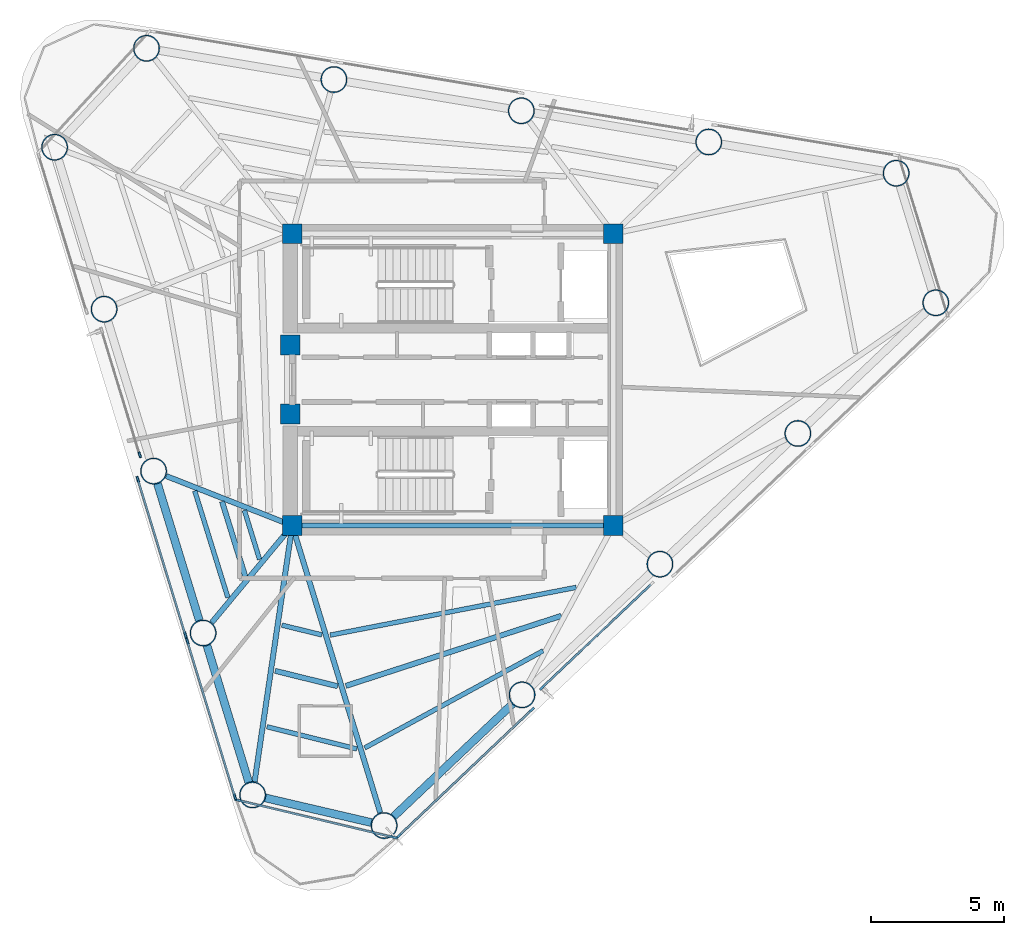
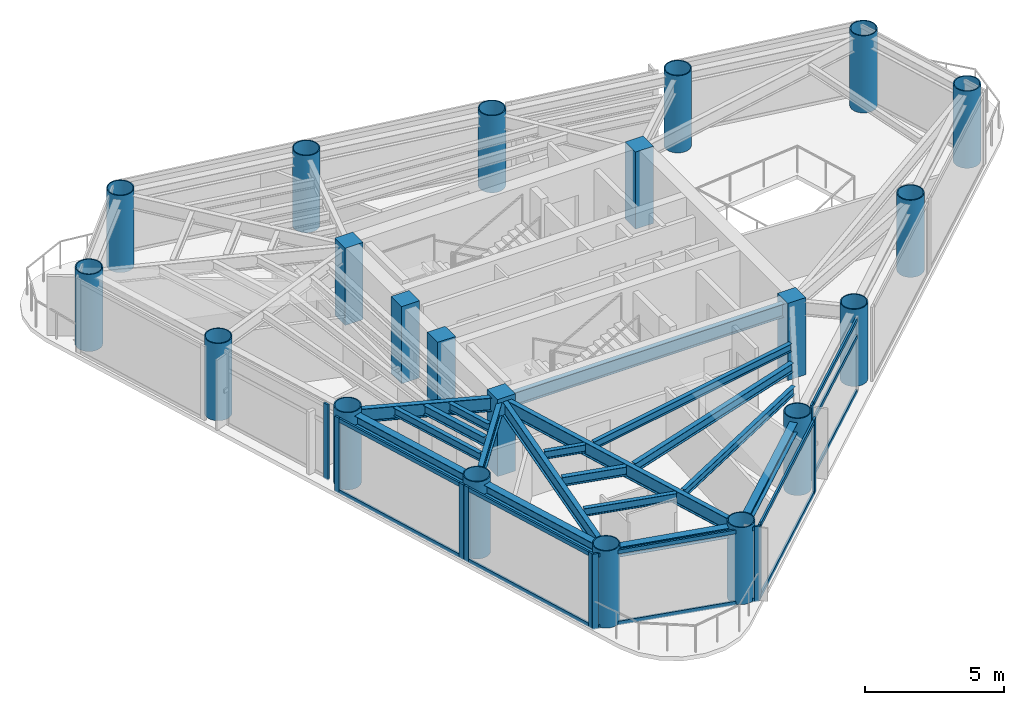
# One storey, part 1 of 9: 21 columns, 21 members, 18 beams, 6 elements without a shape of their own.
"""IFC4 building model written with IfcOpenShell, lengths in metres."""

from ifc_helpers import new_model, si_unit, direction, frame, origin, origin_2d, place, context, subcontext, project, spatial, rectangle, hollow_circle, i_section, extrude, source, transform, mapped, material, layer, layer_set, material_profile, profile_set, type_object, element, aggregate, save


model = new_model("IFC4")

# Units and contexts
model_context = context("Model", 3, precision=1e-05, world=origin(), true_north=direction((0.0, 1.0)))
body_context = subcontext(model_context, "Body", "Model", "MODEL_VIEW")
ifc_project = project(units=[si_unit("LENGTHUNIT", "METRE"), si_unit("AREAUNIT", "SQUARE_METRE"), si_unit("VOLUMEUNIT", "CUBIC_METRE"), si_unit("PLANEANGLEUNIT", "RADIAN"), si_unit("MASSUNIT", "GRAM", prefix="KILO")], contexts=[model_context])

# Site, building, storey
site_placement = place(None, origin())
site = spatial("IfcSite", under=ifc_project, at=site_placement, CompositionType="ELEMENT")
building_placement = place(site_placement, origin())
building = spatial("IfcBuilding", under=site, at=building_placement, Name="Yunling Apex Tower", CompositionType="ELEMENT")
storey_placement = place(building_placement, frame((0.0, 0.0, 245.64990234375)))
storey = spatial("IfcBuildingStorey", under=building, at=storey_placement, Name="L60", CompositionType="ELEMENT", Elevation=245.64990234375)

# Columns
ifc_material_1 = material(Name="Concrete C50", Category="concrete")
ifc_material_profile_1 = material_profile(ifc_material_1, rectangle(XDim=0.75, YDim=0.75, at=origin_2d()))
ifc_profile_set_1 = profile_set([ifc_material_profile_1], Name="Concrete C50")
column_type_1 = type_object("IfcColumnType", Name="PC-SRC-4", PredefinedType="COLUMN", material=ifc_profile_set_1)
shared_shape_1 = source(origin(), body_context, "Body", "SweptSolid", [
    extrude(rectangle(XDim=0.75, YDim=0.75, at=origin_2d()), origin(), (0.0, 0.0, 1.0), 3.400146484375),
])
for number, where, z_axis, x_axis, name in (
    (1, (-6.050048828125, -5.5, 0.0), (0.0, 0.0, 1.0), (1.0, 0.0, 0.0), "L60 Core Spine Column CC-SW"),
    (2, (6.050048828125, -5.5, 0.0), (0.0, 0.0, 1.0), (1.0, 0.0, 0.0), "L60 Core Spine Column CC-SE"),
    (3, (6.050048828125, 5.5, 0.0), (0.0, 0.0, 1.0), (1.0, 0.0, 0.0), "L60 Core Spine Column CC-NE"),
    (4, (-6.050048828125, 5.5, 0.0), (0.0, 0.0, 1.0), (1.0, 0.0, 0.0), "L60 Core Spine Column CC-NW"),
    (5, (-6.125, -1.300048828125, 0.0), (0.0, 0.0, 1.0), (1.0, 0.0, 0.0), "L60 Core West Portal Jamb Column S"),
    (6, (-6.125, 1.300048828125, 0.0), (0.0, 0.0, 1.0), (1.0, 0.0, 0.0), "L60 Core West Portal Jamb Column N"),
):
    element("IfcColumn", number, at=place(storey_placement, frame(where, z_axis=z_axis, x_axis=x_axis)), inside=storey, type_object=column_type_1, Name=name, PredefinedType="COLUMN", context=body_context, shape_type="MappedRepresentation", body=[
        mapped(shared_shape_1, transform((0.0, 0.0, 0.0), scale=1.0)),
    ])
ifc_material_2 = material(Name="Steel Q390GJC", Category="steel")
ifc_material_profile_2 = material_profile(ifc_material_2, hollow_circle(Radius=0.5, WallThickness=0.0400390625, at=origin_2d()))
ifc_profile_set_2 = profile_set([ifc_material_profile_2], Name="Steel Q390GJC")
column_type_2 = type_object("IfcColumnType", Name="MC-CFST-5", PredefinedType="COLUMN", material=ifc_profile_set_2)
shared_shape_2 = source(origin(), body_context, "Body", "SweptSolid", [
    extrude(hollow_circle(Radius=0.5, WallThickness=0.0400390625, at=origin_2d()), origin(), (0.0, 0.0, 1.0), 3.400146484375),
])
for number, where, z_axis, x_axis, name in (
    (7, (-2.58740234375, -16.807861328125, 0.0), (0.0, 0.0, 1.0), (1.0, 0.0, 0.0), "L60 Perimeter CFST Mega-Column P01"),
    (8, (2.61083984375, -11.8818359375, 0.0), (0.0, 0.0, 1.0), (1.0, 0.0, 0.0), "L60 Perimeter CFST Mega-Column P02"),
    (9, (7.80908203125, -6.9560546875, 0.0), (0.0, 0.0, 1.0), (1.0, 0.0, 0.0), "L60 Perimeter CFST Mega-Column P03"),
    (10, (13.007080078125, -2.030029296875, 0.0), (0.0, 0.0, 1.0), (1.0, 0.0, 0.0), "L60 Perimeter CFST Mega-Column P04"),
    (11, (18.205322265625, 2.89599609375, 0.0), (0.0, 0.0, 1.0), (1.0, 0.0, 0.0), "L60 Perimeter CFST Mega-Column P05"),
    (12, (16.712158203125, 7.779296875, 0.0), (0.0, 0.0, 1.0), (1.0, 0.0, 0.0), "L60 Perimeter CFST Mega-Column P06"),
    (13, (9.648193359375, 8.95654296875, 0.0), (0.0, 0.0, 1.0), (1.0, 0.0, 0.0), "L60 Perimeter CFST Mega-Column P07"),
    (14, (2.584228515625, 10.133544921875, 0.0), (0.0, 0.0, 1.0), (1.0, 0.0, 0.0), "L60 Perimeter CFST Mega-Column P08"),
    (15, (-4.479736328125, 11.310546875, 0.0), (0.0, 0.0, 1.0), (1.0, 0.0, 0.0), "L60 Perimeter CFST Mega-Column P09"),
    (16, (-11.543701171875, 12.487548828125, 0.0), (0.0, 0.0, 1.0), (1.0, 0.0, 0.0), "L60 Perimeter CFST Mega-Column P10"),
    (17, (-15.007568359375, 8.7587890625, 0.0), (0.0, 0.0, 1.0), (1.0, 0.0, 0.0), "L60 Perimeter CFST Mega-Column P11"),
    (18, (-13.1416015625, 2.65576171875, 0.0), (0.0, 0.0, 1.0), (1.0, 0.0, 0.0), "L60 Perimeter CFST Mega-Column P12"),
    (19, (-11.27587890625, -3.447509765625, 0.0), (0.0, 0.0, 1.0), (1.0, 0.0, 0.0), "L60 Perimeter CFST Mega-Column P13"),
    (20, (-9.409912109375, -9.55029296875, 0.0), (0.0, 0.0, 1.0), (1.0, 0.0, 0.0), "L60 Perimeter CFST Mega-Column P14"),
    (21, (-7.5439453125, -15.6533203125, 0.0), (0.0, 0.0, 1.0), (1.0, 0.0, 0.0), "L60 Perimeter CFST Mega-Column P15"),
):
    element("IfcColumn", number, at=place(storey_placement, frame(where, z_axis=z_axis, x_axis=x_axis)), inside=storey, type_object=column_type_2, Name=name, PredefinedType="COLUMN", context=body_context, shape_type="MappedRepresentation", body=[
        mapped(shared_shape_2, transform((0.0, 0.0, 0.0), scale=1.0)),
    ])

# Beams
ifc_material_3 = material(Name="Steel Q355B", Category="steel")
ifc_material_profile_3 = material_profile(ifc_material_3, i_section(OverallWidth=0.199951171875, OverallDepth=0.60009765625, WebThickness=0.010986328125, FlangeThickness=0.01708984375, FilletRadius=0.02197265625, at=origin_2d()))
ifc_profile_set_3 = profile_set([ifc_material_profile_3], Name="Steel Q355B")
beam_type_1 = type_object("IfcBeamType", Name="BG-PRI-5", PredefinedType="USERDEFINED", material=ifc_profile_set_3)
shared_shape_3 = source(origin(), body_context, "Body", "SweptSolid", [
    extrude(i_section(OverallWidth=0.199951171875, OverallDepth=0.60009765625, WebThickness=0.010986328125, FlangeThickness=0.01708984375, FilletRadius=0.02197265625, at=origin_2d()), origin(), (0.0, 0.0, 1.0), 11.7998046875),
])
beam_1_placement = place(storey_placement, frame((-5.89990234375, -5.5, 2.920166015625), z_axis=(1.0, 0.0, 0.0), x_axis=(0.0, 1.0, 0.0)))
element("IfcBeam", 22, at=beam_1_placement, inside=storey, type_object=beam_type_1, Name="L60 Core Ring Tie Beam 1", ObjectType="GIRDER", PredefinedType="USERDEFINED", context=body_context, shape_type="MappedRepresentation", body=[
    mapped(shared_shape_3, transform((0.0, 0.0, 0.0), scale=1.0)),
])
ifc_material_profile_4 = material_profile(ifc_material_3, i_section(OverallWidth=0.300048828125, OverallDepth=0.43994140625, WebThickness=0.010986328125, FlangeThickness=0.01806640625, FilletRadius=0.02197265625, at=origin_2d()))
ifc_profile_set_4 = profile_set([ifc_material_profile_4], Name="Steel Q355B")
beam_type_2 = type_object("IfcBeamType", Name="BP-SPN-3", PredefinedType="SPANDREL", material=ifc_profile_set_4)
shared_shape_4 = source(origin(), body_context, "Body", "SweptSolid", [
    extrude(i_section(OverallWidth=0.300048828125, OverallDepth=0.43994140625, WebThickness=0.010986328125, FlangeThickness=0.01806640625, FilletRadius=0.02197265625, at=origin_2d()), origin(), (0.0, 0.0, 1.0), 6.17333984375),
])
beam_2_placement = place(storey_placement, frame((-2.228759765625, -16.468017578125, 3.0), z_axis=(0.725853952128, 0.687848849807, 0.0), x_axis=(-0.687848849807, 0.725853952128, 0.0)))
element("IfcBeam", 23, at=beam_2_placement, inside=storey, type_object=beam_type_2, Name="L60 Perimeter Spandrel Beam 1", PredefinedType="SPANDREL", context=body_context, shape_type="MappedRepresentation", body=[
    mapped(shared_shape_4, transform((0.0, 0.0, 0.0), scale=1.0)),
])
shared_shape_5 = source(origin(), body_context, "Body", "SweptSolid", [
    extrude(i_section(OverallWidth=0.300048828125, OverallDepth=0.43994140625, WebThickness=0.010986328125, FlangeThickness=0.01806640625, FilletRadius=0.02197265625, at=origin_2d()), origin(), (0.0, 0.0, 1.0), 4.1015625),
])
beam_3_placement = place(storey_placement, frame((-7.06298828125, -15.765380859375, 3.0), z_axis=(0.973930702249, -0.226845734401, 0.0), x_axis=(0.226845734401, 0.973930702249, 0.0)))
element("IfcBeam", 24, at=beam_3_placement, inside=storey, type_object=beam_type_2, Name="L60 Perimeter Spandrel Beam 15", PredefinedType="SPANDREL", context=body_context, shape_type="MappedRepresentation", body=[
    mapped(shared_shape_5, transform((0.0, 0.0, 0.0), scale=1.0)),
])
shared_shape_6 = source(origin(), body_context, "Body", "SweptSolid", [
    extrude(i_section(OverallWidth=0.300048828125, OverallDepth=0.43994140625, WebThickness=0.010986328125, FlangeThickness=0.01806640625, FilletRadius=0.02197265625, at=origin_2d()), origin(), (0.0, 0.0, 1.0), 5.393798828125),
])
for number, where, z_axis, x_axis, name in (
    (25, (-11.13134765625, -3.919921875, 3.0), (0.292405975038, -0.956294277805, 0.0), (0.956294277805, 0.292405975038, 0.0), "L60 Perimeter Spandrel Beam 13"),
    (26, (-9.265380859375, -10.022705078125, 3.0), (0.292351925226, -0.956310802938, 0.0), (0.956310802938, 0.292351925226, 0.0), "L60 Perimeter Spandrel Beam 14"),
):
    element("IfcBeam", number, at=place(storey_placement, frame(where, z_axis=z_axis, x_axis=x_axis)), inside=storey, type_object=beam_type_2, Name=name, PredefinedType="SPANDREL", context=body_context, shape_type="MappedRepresentation", body=[
        mapped(shared_shape_6, transform((0.0, 0.0, 0.0), scale=1.0)),
    ])
shared_shape_7 = source(origin(), body_context, "Body", "SweptSolid", [
    extrude(i_section(OverallWidth=0.199951171875, OverallDepth=0.60009765625, WebThickness=0.010986328125, FlangeThickness=0.01708984375, FilletRadius=0.02197265625, at=origin_2d()), origin(), (0.0, 0.0, 1.0), 11.23828125),
])
beam_4_placement = place(storey_placement, frame((-2.736083984375, -16.322265625, 2.920166015625), z_axis=(-0.292794126511, 0.956175506631, 0.0), x_axis=(-0.956175506631, -0.292794126511, 0.0)))
element("IfcBeam", 27, at=beam_4_placement, inside=storey, type_object=beam_type_1, Name="L60 Radial Primary Girder R01", ObjectType="GIRDER", PredefinedType="USERDEFINED", context=body_context, shape_type="MappedRepresentation", body=[
    mapped(shared_shape_7, transform((0.0, 0.0, 0.0), scale=1.0)),
])
shared_shape_8 = source(origin(), body_context, "Body", "SweptSolid", [
    extrude(i_section(OverallWidth=0.199951171875, OverallDepth=0.60009765625, WebThickness=0.010986328125, FlangeThickness=0.01708984375, FilletRadius=0.02197265625, at=origin_2d()), origin(), (0.0, 0.0, 1.0), 5.0263671875),
])
beam_5_placement = place(storey_placement, frame((-10.802978515625, -3.633056640625, 2.920166015625), z_axis=(0.930773335483, -0.365596769617, 0.0), x_axis=(0.365596769617, 0.930773335483, 0.0)))
element("IfcBeam", 28, at=beam_5_placement, inside=storey, type_object=beam_type_1, Name="L60 Radial Primary Girder R13", ObjectType="GIRDER", PredefinedType="USERDEFINED", context=body_context, shape_type="MappedRepresentation", body=[
    mapped(shared_shape_8, transform((0.0, 0.0, 0.0), scale=1.0)),
])
shared_shape_9 = source(origin(), body_context, "Body", "SweptSolid", [
    extrude(i_section(OverallWidth=0.199951171875, OverallDepth=0.60009765625, WebThickness=0.010986328125, FlangeThickness=0.01708984375, FilletRadius=0.02197265625, at=origin_2d()), origin(), (0.0, 0.0, 1.0), 4.6748046875),
])
beam_6_placement = place(storey_placement, frame((-9.085693359375, -9.159423828125, 2.920166015625), z_axis=(0.63846190647, 0.769653424593, 0.0), x_axis=(-0.769653424593, 0.63846190647, 0.0)))
element("IfcBeam", 29, at=beam_6_placement, inside=storey, type_object=beam_type_1, Name="L60 Radial Primary Girder R14", ObjectType="GIRDER", PredefinedType="USERDEFINED", context=body_context, shape_type="MappedRepresentation", body=[
    mapped(shared_shape_9, transform((0.0, 0.0, 0.0), scale=1.0)),
])
shared_shape_10 = source(origin(), body_context, "Body", "SweptSolid", [
    extrude(i_section(OverallWidth=0.199951171875, OverallDepth=0.60009765625, WebThickness=0.010986328125, FlangeThickness=0.01708984375, FilletRadius=0.02197265625, at=origin_2d()), origin(), (0.0, 0.0, 1.0), 9.6748046875),
])
beam_7_placement = place(storey_placement, frame((-7.469970703125, -15.15087890625, 2.920166015625), z_axis=(0.145578261909, 0.989346738843, 0.0), x_axis=(-0.989346738843, 0.145578261909, 0.0)))
element("IfcBeam", 30, at=beam_7_placement, inside=storey, type_object=beam_type_1, Name="L60 Radial Primary Girder R15", ObjectType="GIRDER", PredefinedType="USERDEFINED", context=body_context, shape_type="MappedRepresentation", body=[
    mapped(shared_shape_10, transform((0.0, 0.0, 0.0), scale=1.0)),
])
ifc_material_profile_5 = material_profile(ifc_material_3, i_section(OverallWidth=0.199951171875, OverallDepth=0.39990234375, WebThickness=0.008056640625, FlangeThickness=0.012939453125, FilletRadius=0.01611328125, at=origin_2d()))
ifc_profile_set_5 = profile_set([ifc_material_profile_5], Name="Steel Q355B")
beam_type_3 = type_object("IfcBeamType", Name="BS-SEC-4", PredefinedType="BEAM", material=ifc_profile_set_5)
shared_shape_11 = source(origin(), body_context, "Body", "SweptSolid", [
    extrude(i_section(OverallWidth=0.199951171875, OverallDepth=0.39990234375, WebThickness=0.008056640625, FlangeThickness=0.012939453125, FilletRadius=0.01611328125, at=origin_2d()), origin(), (0.0, 0.0, 1.0), 8.540283203125),
])
beam_8_placement = place(storey_placement, frame((-4.03173828125, -11.544677734375, 3.02001953125), z_axis=(0.950990153104, 0.309221164702, 0.0), x_axis=(-0.309221164702, 0.950990153104, 0.0)))
element("IfcBeam", 31, at=beam_8_placement, inside=storey, type_object=beam_type_3, Name="L60 Composite Floor Beam BS-1", PredefinedType="BEAM", context=body_context, shape_type="MappedRepresentation", body=[
    mapped(shared_shape_11, transform((0.0, 0.0, 0.0), scale=1.0)),
])
ifc_material_profile_6 = material_profile(ifc_material_3, i_section(OverallWidth=0.175048828125, OverallDepth=0.35009765625, WebThickness=0.007080078125, FlangeThickness=0.010986328125, FilletRadius=0.013916015625, at=origin_2d()))
ifc_profile_set_6 = profile_set([ifc_material_profile_6], Name="Steel Q355B")
beam_type_4 = type_object("IfcBeamType", Name="BJ-JST-1", PredefinedType="JOIST", material=ifc_profile_set_6)
shared_shape_12 = source(origin(), body_context, "Body", "SweptSolid", [
    extrude(i_section(OverallWidth=0.175048828125, OverallDepth=0.35009765625, WebThickness=0.007080078125, FlangeThickness=0.010986328125, FilletRadius=0.013916015625, at=origin_2d()), origin(), (0.0, 0.0, 1.0), 7.657470703125),
])
beam_9_placement = place(storey_placement, frame((-3.3193359375, -13.881591796875, 3.045166015625), z_axis=(0.878333844235, 0.478047757104, 0.0), x_axis=(-0.478047757104, 0.878333844235, 0.0)))
element("IfcBeam", 32, at=beam_9_placement, inside=storey, type_object=beam_type_4, Name="L60 Composite Floor Joist BJ1-1", PredefinedType="JOIST", context=body_context, shape_type="MappedRepresentation", body=[
    mapped(shared_shape_12, transform((0.0, 0.0, 0.0), scale=1.0)),
])
shared_shape_13 = source(origin(), body_context, "Body", "SweptSolid", [
    extrude(i_section(OverallWidth=0.175048828125, OverallDepth=0.35009765625, WebThickness=0.007080078125, FlangeThickness=0.010986328125, FilletRadius=0.013916015625, at=origin_2d()), origin(), (0.0, 0.0, 1.0), 9.4462890625),
])
beam_10_placement = place(storey_placement, frame((-4.619140625, -9.62939453125, 3.045166015625), z_axis=(0.981676272709, 0.190556279353, 0.0), x_axis=(-0.190556279353, 0.981676272709, 0.0)))
element("IfcBeam", 33, at=beam_10_placement, inside=storey, type_object=beam_type_4, Name="L60 Composite Floor Joist BJ3-1", PredefinedType="JOIST", context=body_context, shape_type="MappedRepresentation", body=[
    mapped(shared_shape_13, transform((0.0, 0.0, 0.0), scale=1.0)),
])
shared_shape_14 = source(origin(), body_context, "Body", "SweptSolid", [
    extrude(i_section(OverallWidth=0.199951171875, OverallDepth=0.39990234375, WebThickness=0.008056640625, FlangeThickness=0.012939453125, FilletRadius=0.01611328125, at=origin_2d()), origin(), (0.0, 0.0, 1.0), 2.9619140625),
])
beam_11_placement = place(storey_placement, frame((-8.697021484375, -4.594482421875, 3.02001953125), z_axis=(0.296152913488, -0.955140540356, 0.0), x_axis=(0.955140540356, 0.296152913488, 0.0)))
element("IfcBeam", 34, at=beam_11_placement, inside=storey, type_object=beam_type_3, Name="L60 Composite Floor Beam BS-13", PredefinedType="BEAM", context=body_context, shape_type="MappedRepresentation", body=[
    mapped(shared_shape_14, transform((0.0, 0.0, 0.0), scale=1.0)),
])
shared_shape_15 = source(origin(), body_context, "Body", "SweptSolid", [
    extrude(i_section(OverallWidth=0.175048828125, OverallDepth=0.35009765625, WebThickness=0.007080078125, FlangeThickness=0.010986328125, FilletRadius=0.013916015625, at=origin_2d()), origin(), (0.0, 0.0, 1.0), 4.21435546875),
])
beam_12_placement = place(storey_placement, frame((-9.726318359375, -4.190185546875, 3.045166015625), z_axis=(0.296539510889, -0.955020585371, 0.0), x_axis=(0.955020585371, 0.296539510889, 0.0)))
element("IfcBeam", 35, at=beam_12_placement, inside=storey, type_object=beam_type_4, Name="L60 Composite Floor Joist BJ1-13", PredefinedType="JOIST", context=body_context, shape_type="MappedRepresentation", body=[
    mapped(shared_shape_15, transform((0.0, 0.0, 0.0), scale=1.0)),
])
shared_shape_16 = source(origin(), body_context, "Body", "SweptSolid", [
    extrude(i_section(OverallWidth=0.175048828125, OverallDepth=0.35009765625, WebThickness=0.007080078125, FlangeThickness=0.010986328125, FilletRadius=0.013916015625, at=origin_2d()), origin(), (0.0, 0.0, 1.0), 1.93701171875),
])
beam_13_placement = place(storey_placement, frame((-7.85498046875, -4.92529296875, 3.045166015625), z_axis=(0.295546803782, -0.955328261266, 0.0), x_axis=(0.955328261266, 0.295546803782, 0.0)))
element("IfcBeam", 36, at=beam_13_placement, inside=storey, type_object=beam_type_4, Name="L60 Composite Floor Joist BJ3-13", PredefinedType="JOIST", context=body_context, shape_type="MappedRepresentation", body=[
    mapped(shared_shape_16, transform((0.0, 0.0, 0.0), scale=1.0)),
])
shared_shape_17 = source(origin(), body_context, "Body", "SweptSolid", [
    extrude(i_section(OverallWidth=0.199951171875, OverallDepth=0.39990234375, WebThickness=0.008056640625, FlangeThickness=0.012939453125, FilletRadius=0.01611328125, at=origin_2d()), origin(), (0.0, 0.0, 1.0), 2.42578125),
])
beam_14_placement = place(storey_placement, frame((-6.69482421875, -10.977294921875, 3.02001953125), z_axis=(0.971134786196, -0.23853139634, 0.0), x_axis=(0.23853139634, 0.971134786196, 0.0)))
element("IfcBeam", 37, at=beam_14_placement, inside=storey, type_object=beam_type_3, Name="L60 Composite Floor Beam BS-15", PredefinedType="BEAM", context=body_context, shape_type="MappedRepresentation", body=[
    mapped(shared_shape_17, transform((0.0, 0.0, 0.0), scale=1.0)),
])
shared_shape_18 = source(origin(), body_context, "Body", "SweptSolid", [
    extrude(i_section(OverallWidth=0.175048828125, OverallDepth=0.35009765625, WebThickness=0.007080078125, FlangeThickness=0.010986328125, FilletRadius=0.013916015625, at=origin_2d()), origin(), (0.0, 0.0, 1.0), 3.4912109375),
])
beam_15_placement = place(storey_placement, frame((-7.0048828125, -13.08349609375, 3.045166015625), z_axis=(0.970878392095, -0.239572844376, 0.0), x_axis=(0.239572844376, 0.970878392095, 0.0)))
element("IfcBeam", 38, at=beam_15_placement, inside=storey, type_object=beam_type_4, Name="L60 Composite Floor Joist BJ1-15", PredefinedType="JOIST", context=body_context, shape_type="MappedRepresentation", body=[
    mapped(shared_shape_18, transform((0.0, 0.0, 0.0), scale=1.0)),
])
shared_shape_19 = source(origin(), body_context, "Body", "SweptSolid", [
    extrude(i_section(OverallWidth=0.175048828125, OverallDepth=0.35009765625, WebThickness=0.007080078125, FlangeThickness=0.010986328125, FilletRadius=0.013916015625, at=origin_2d()), origin(), (0.0, 0.0, 1.0), 1.553955078125),
])
beam_16_placement = place(storey_placement, frame((-6.44140625, -9.254150390625, 3.045166015625), z_axis=(0.971567073494, -0.23676448573, 0.0), x_axis=(0.23676448573, 0.971567073494, 0.0)))
element("IfcBeam", 39, at=beam_16_placement, inside=storey, type_object=beam_type_4, Name="L60 Composite Floor Joist BJ3-15", PredefinedType="JOIST", context=body_context, shape_type="MappedRepresentation", body=[
    mapped(shared_shape_19, transform((0.0, 0.0, 0.0), scale=1.0)),
])

# Curtain wall, members
ifc_material_4 = material(Name="Bronze anodised aluminium", Category="aluminium")
ifc_layer = layer(ifc_material_4, 0.219970703125)
ifc_layer_set = layer_set([ifc_layer], Name="Bronze anodised aluminium")
curtain_wall_type = type_object("IfcCurtainWallType", Name="CW-SYS-4", PredefinedType="NOTDEFINED", material=ifc_layer_set)
curtain_wall_1_placement = place(storey_placement, origin())
curtain_wall_1 = element("IfcCurtainWall", 40, at=curtain_wall_1_placement, inside=storey, type_object=curtain_wall_type, Name="CW-L60-F1-B1", PredefinedType="NOTDEFINED")
ifc_material_profile_7 = material_profile(ifc_material_4, rectangle(XDim=0.080078125, YDim=0.219970703125, at=origin_2d()))
ifc_profile_set_7 = profile_set([ifc_material_profile_7], Name="Bronze anodised aluminium")
member_type_1 = type_object("IfcMemberType", Name="CW-MUL-4", PredefinedType="MULLION", material=ifc_profile_set_7)
shared_shape_20 = source(origin(), body_context, "Body", "SweptSolid", [
    extrude(rectangle(XDim=0.080078125, YDim=0.219970703125, at=origin_2d()), origin(), (0.0, 0.0, 1.0), 3.31982421875),
])
member_1_placement = place(storey_placement, frame((-2.04638671875, -17.204345703125, -0.0498046875), z_axis=(0.0, 0.0, 1.0), x_axis=(-0.687848040467, 0.72585471909, 0.0)))
member_1 = element("IfcMember", 41, at=member_1_placement, type_object=member_type_1, Name="CW-SYS-4 mullion 1", PredefinedType="MULLION", context=body_context, shape_type="MappedRepresentation", body=[
    mapped(shared_shape_20, transform((0.0, 0.0, 0.0), scale=1.0)),
])
member_2_placement = place(storey_placement, frame((2.977783203125, -12.443603515625, -0.0498046875), z_axis=(0.0, 0.0, 1.0), x_axis=(-0.687848040467, 0.72585471909, 0.0)))
member_2 = element("IfcMember", 42, at=member_2_placement, type_object=member_type_1, Name="CW-SYS-4 mullion 2", PredefinedType="MULLION", context=body_context, shape_type="MappedRepresentation", body=[
    mapped(shared_shape_20, transform((0.0, 0.0, 0.0), scale=1.0)),
])

# Curtain wall, member
curtain_wall_2_placement = place(storey_placement, origin())
curtain_wall_2 = element("IfcCurtainWall", 43, at=curtain_wall_2_placement, inside=storey, type_object=curtain_wall_type, Name="CW-L60-F1-B2", PredefinedType="NOTDEFINED")
member_3_placement = place(storey_placement, frame((3.367919921875, -11.605224609375, -0.0498046875), z_axis=(0.0, 0.0, 1.0), x_axis=(-0.687854406681, 0.725848686167, 0.0)))
member_3 = element("IfcMember", 44, at=member_3_placement, type_object=member_type_1, Name="CW-SYS-4 mullion 1", PredefinedType="MULLION", context=body_context, shape_type="MappedRepresentation", body=[
    mapped(shared_shape_20, transform((0.0, 0.0, 0.0), scale=1.0)),
])

curtain_wall_3_placement = place(storey_placement, origin())
curtain_wall_3 = element("IfcCurtainWall", 45, at=curtain_wall_3_placement, inside=storey, type_object=curtain_wall_type, Name="CW-L60-F3-B2", PredefinedType="NOTDEFINED")
member_4_placement = place(storey_placement, frame((-11.798095703125, -2.833251953125, -0.0498046875), z_axis=(0.0, 0.0, 1.0), x_axis=(0.956304345474, 0.29237304737, 0.0)))
member_4 = element("IfcMember", 46, at=member_4_placement, type_object=member_type_1, Name="CW-SYS-4 mullion 2", PredefinedType="MULLION", context=body_context, shape_type="MappedRepresentation", body=[
    mapped(shared_shape_20, transform((0.0, 0.0, 0.0), scale=1.0)),
])
aggregate(curtain_wall_3, [member_4])

# Curtain wall, members
curtain_wall_4_placement = place(storey_placement, origin())
curtain_wall_4 = element("IfcCurtainWall", 47, at=curtain_wall_4_placement, inside=storey, type_object=curtain_wall_type, Name="CW-L60-F3-B3", PredefinedType="NOTDEFINED")
member_5_placement = place(storey_placement, frame((-11.871826171875, -3.755126953125, -0.0498046875), z_axis=(0.0, 0.0, 1.0), x_axis=(0.956304646078, 0.29237206414, 0.0)))
member_5 = element("IfcMember", 48, at=member_5_placement, type_object=member_type_1, Name="CW-SYS-4 mullion 1", PredefinedType="MULLION", context=body_context, shape_type="MappedRepresentation", body=[
    mapped(shared_shape_20, transform((0.0, 0.0, 0.0), scale=1.0)),
])
member_6_placement = place(storey_placement, frame((-10.076171875, -9.628662109375, -0.0498046875), z_axis=(0.0, 0.0, 1.0), x_axis=(0.956304646078, 0.29237206414, 0.0)))
member_6 = element("IfcMember", 49, at=member_6_placement, type_object=member_type_1, Name="CW-SYS-4 mullion 2", PredefinedType="MULLION", context=body_context, shape_type="MappedRepresentation", body=[
    mapped(shared_shape_20, transform((0.0, 0.0, 0.0), scale=1.0)),
])

curtain_wall_5_placement = place(storey_placement, origin())
curtain_wall_5 = element("IfcCurtainWall", 50, at=curtain_wall_5_placement, inside=storey, type_object=curtain_wall_type, Name="CW-L60-F3-B4", PredefinedType="NOTDEFINED")
member_7_placement = place(storey_placement, frame((-10.005859375, -9.858154296875, -0.0498046875), z_axis=(0.0, 0.0, 1.0), x_axis=(0.956304646078, 0.29237206414, 0.0)))
member_7 = element("IfcMember", 51, at=member_7_placement, type_object=member_type_1, Name="CW-SYS-4 mullion 1", PredefinedType="MULLION", context=body_context, shape_type="MappedRepresentation", body=[
    mapped(shared_shape_20, transform((0.0, 0.0, 0.0), scale=1.0)),
])
member_8_placement = place(storey_placement, frame((-8.210205078125, -15.731689453125, -0.0498046875), z_axis=(0.0, 0.0, 1.0), x_axis=(0.956304646078, 0.29237206414, 0.0)))
member_8 = element("IfcMember", 52, at=member_8_placement, type_object=member_type_1, Name="CW-SYS-4 mullion 2", PredefinedType="MULLION", context=body_context, shape_type="MappedRepresentation", body=[
    mapped(shared_shape_20, transform((0.0, 0.0, 0.0), scale=1.0)),
])

curtain_wall_6_placement = place(storey_placement, origin())
curtain_wall_6 = element("IfcCurtainWall", 53, at=curtain_wall_6_placement, inside=storey, type_object=curtain_wall_type, Name="CW-L60-CRN3", PredefinedType="NOTDEFINED")
member_9_placement = place(storey_placement, frame((-8.1171875, -15.849853515625, -0.0498046875), z_axis=(0.0, 0.0, 1.0), x_axis=(0.231809474992, 0.97276120775, 0.0)))
member_9 = element("IfcMember", 54, at=member_9_placement, type_object=member_type_1, Name="CW-SYS-4 mullion 1", PredefinedType="MULLION", context=body_context, shape_type="MappedRepresentation", body=[
    mapped(shared_shape_20, transform((0.0, 0.0, 0.0), scale=1.0)),
])
member_10_placement = place(storey_placement, frame((-2.18603515625, -17.26318359375, -0.0498046875), z_axis=(0.0, 0.0, 1.0), x_axis=(0.231809474992, 0.97276120775, 0.0)))
member_10 = element("IfcMember", 55, at=member_10_placement, type_object=member_type_1, Name="CW-SYS-4 mullion 2", PredefinedType="MULLION", context=body_context, shape_type="MappedRepresentation", body=[
    mapped(shared_shape_20, transform((0.0, 0.0, 0.0), scale=1.0)),
])

# Member
ifc_material_profile_8 = material_profile(ifc_material_4, rectangle(XDim=0.080078125, YDim=0.169921875, at=origin_2d()))
ifc_profile_set_8 = profile_set([ifc_material_profile_8], Name="Bronze anodised aluminium")
member_type_2 = type_object("IfcMemberType", Name="CW-TRN-4", PredefinedType="USERDEFINED", material=ifc_profile_set_8)
shared_shape_21 = source(origin(), body_context, "Body", "SweptSolid", [
    extrude(rectangle(XDim=0.080078125, YDim=0.169921875, at=origin_2d()), origin(), (0.0, 0.0, 1.0), 5.609619140625),
])
member_11_placement = place(storey_placement, frame((3.39404296875, -11.580322265625, 0.0400390625), z_axis=(0.725870335167, 0.687831561157, 0.0), x_axis=(-0.687831561157, 0.725870335167, 0.0)))
member_11 = element("IfcMember", 56, at=member_11_placement, type_object=member_type_2, Name="CW-SYS-4 transom 1.1", ObjectType="TRANSOM", PredefinedType="USERDEFINED", context=body_context, shape_type="MappedRepresentation", body=[
    mapped(shared_shape_21, transform((0.0, 0.0, 0.0), scale=1.0)),
])

member_12_placement = place(storey_placement, frame((3.39404296875, -11.580322265625, 2.447265625), z_axis=(0.725870335167, 0.687831561157, 0.0), x_axis=(-0.687831561157, 0.725870335167, 0.0)))
member_12 = element("IfcMember", 57, at=member_12_placement, type_object=member_type_2, Name="CW-SYS-4 transom 1.2", ObjectType="TRANSOM", PredefinedType="USERDEFINED", context=body_context, shape_type="MappedRepresentation", body=[
    mapped(shared_shape_21, transform((0.0, 0.0, 0.0), scale=1.0)),
])

member_13_placement = place(storey_placement, frame((3.39404296875, -11.580322265625, 3.18017578125), z_axis=(0.725870335167, 0.687831561157, 0.0), x_axis=(-0.687831561157, 0.725870335167, 0.0)))
member_13 = element("IfcMember", 58, at=member_13_placement, type_object=member_type_2, Name="CW-SYS-4 transom 1.3", ObjectType="TRANSOM", PredefinedType="USERDEFINED", context=body_context, shape_type="MappedRepresentation", body=[
    mapped(shared_shape_21, transform((0.0, 0.0, 0.0), scale=1.0)),
])

aggregate(curtain_wall_2, [member_3, member_11, member_12, member_13])

shared_shape_22 = source(origin(), body_context, "Body", "SweptSolid", [
    extrude(rectangle(XDim=0.080078125, YDim=0.169921875, at=origin_2d()), origin(), (0.0, 0.0, 1.0), 6.849365234375),
])
member_14_placement = place(storey_placement, frame((-2.02001953125, -17.1796875, 0.0400390625), z_axis=(0.725832781837, 0.687871189112, 0.0), x_axis=(-0.687871189112, 0.725832781837, 0.0)))
member_14 = element("IfcMember", 59, at=member_14_placement, type_object=member_type_2, Name="CW-SYS-4 transom 1.1", ObjectType="TRANSOM", PredefinedType="USERDEFINED", context=body_context, shape_type="MappedRepresentation", body=[
    mapped(shared_shape_22, transform((0.0, 0.0, 0.0), scale=1.0)),
])

member_15_placement = place(storey_placement, frame((-2.02001953125, -17.1796875, 3.18017578125), z_axis=(0.725832781837, 0.687871189112, 0.0), x_axis=(-0.687871189112, 0.725832781837, 0.0)))
member_15 = element("IfcMember", 60, at=member_15_placement, type_object=member_type_2, Name="CW-SYS-4 transom 1.2", ObjectType="TRANSOM", PredefinedType="USERDEFINED", context=body_context, shape_type="MappedRepresentation", body=[
    mapped(shared_shape_22, transform((0.0, 0.0, 0.0), scale=1.0)),
])

aggregate(curtain_wall_1, [member_1, member_2, member_14, member_15])

shared_shape_23 = source(origin(), body_context, "Body", "SweptSolid", [
    extrude(rectangle(XDim=0.080078125, YDim=0.169921875, at=origin_2d()), origin(), (0.0, 0.0, 1.0), 6.06982421875),
])
member_16_placement = place(storey_placement, frame((-11.861328125, -3.78955078125, 0.0400390625), z_axis=(0.292369766892, -0.956305348415, 0.0), x_axis=(0.956305348415, 0.292369766892, 0.0)))
member_16 = element("IfcMember", 61, at=member_16_placement, type_object=member_type_2, Name="CW-SYS-4 transom 1.1", ObjectType="TRANSOM", PredefinedType="USERDEFINED", context=body_context, shape_type="MappedRepresentation", body=[
    mapped(shared_shape_23, transform((0.0, 0.0, 0.0), scale=1.0)),
])

member_17_placement = place(storey_placement, frame((-11.861328125, -3.78955078125, 3.18017578125), z_axis=(0.292369766892, -0.956305348415, 0.0), x_axis=(0.956305348415, 0.292369766892, 0.0)))
member_17 = element("IfcMember", 62, at=member_17_placement, type_object=member_type_2, Name="CW-SYS-4 transom 1.2", ObjectType="TRANSOM", PredefinedType="USERDEFINED", context=body_context, shape_type="MappedRepresentation", body=[
    mapped(shared_shape_23, transform((0.0, 0.0, 0.0), scale=1.0)),
])

aggregate(curtain_wall_4, [member_5, member_6, member_16, member_17])

member_18_placement = place(storey_placement, frame((-9.995361328125, -9.892578125, 0.0400390625), z_axis=(0.292369766892, -0.956305348415, 0.0), x_axis=(0.956305348415, 0.292369766892, 0.0)))
member_18 = element("IfcMember", 63, at=member_18_placement, type_object=member_type_2, Name="CW-SYS-4 transom 1.1", ObjectType="TRANSOM", PredefinedType="USERDEFINED", context=body_context, shape_type="MappedRepresentation", body=[
    mapped(shared_shape_23, transform((0.0, 0.0, 0.0), scale=1.0)),
])

member_19_placement = place(storey_placement, frame((-9.995361328125, -9.892578125, 3.18017578125), z_axis=(0.292369766892, -0.956305348415, 0.0), x_axis=(0.956305348415, 0.292369766892, 0.0)))
member_19 = element("IfcMember", 64, at=member_19_placement, type_object=member_type_2, Name="CW-SYS-4 transom 1.2", ObjectType="TRANSOM", PredefinedType="USERDEFINED", context=body_context, shape_type="MappedRepresentation", body=[
    mapped(shared_shape_23, transform((0.0, 0.0, 0.0), scale=1.0)),
])

aggregate(curtain_wall_5, [member_7, member_8, member_18, member_19])

shared_shape_24 = source(origin(), body_context, "Body", "SweptSolid", [
    extrude(rectangle(XDim=0.080078125, YDim=0.169921875, at=origin_2d()), origin(), (0.0, 0.0, 1.0), 6.02490234375),
])
member_20_placement = place(storey_placement, frame((-8.08203125, -15.858154296875, 0.0400390625), z_axis=(0.972757933043, -0.231823216485, 0.0), x_axis=(0.231823216485, 0.972757933043, 0.0)))
member_20 = element("IfcMember", 65, at=member_20_placement, type_object=member_type_2, Name="CW-SYS-4 transom 1.1", ObjectType="TRANSOM", PredefinedType="USERDEFINED", context=body_context, shape_type="MappedRepresentation", body=[
    mapped(shared_shape_24, transform((0.0, 0.0, 0.0), scale=1.0)),
])

member_21_placement = place(storey_placement, frame((-8.08203125, -15.858154296875, 3.18017578125), z_axis=(0.972757933043, -0.231823216485, 0.0), x_axis=(0.231823216485, 0.972757933043, 0.0)))
member_21 = element("IfcMember", 66, at=member_21_placement, type_object=member_type_2, Name="CW-SYS-4 transom 1.2", ObjectType="TRANSOM", PredefinedType="USERDEFINED", context=body_context, shape_type="MappedRepresentation", body=[
    mapped(shared_shape_24, transform((0.0, 0.0, 0.0), scale=1.0)),
])

aggregate(curtain_wall_6, [member_9, member_10, member_20, member_21])

save(model, "model.ifc")
